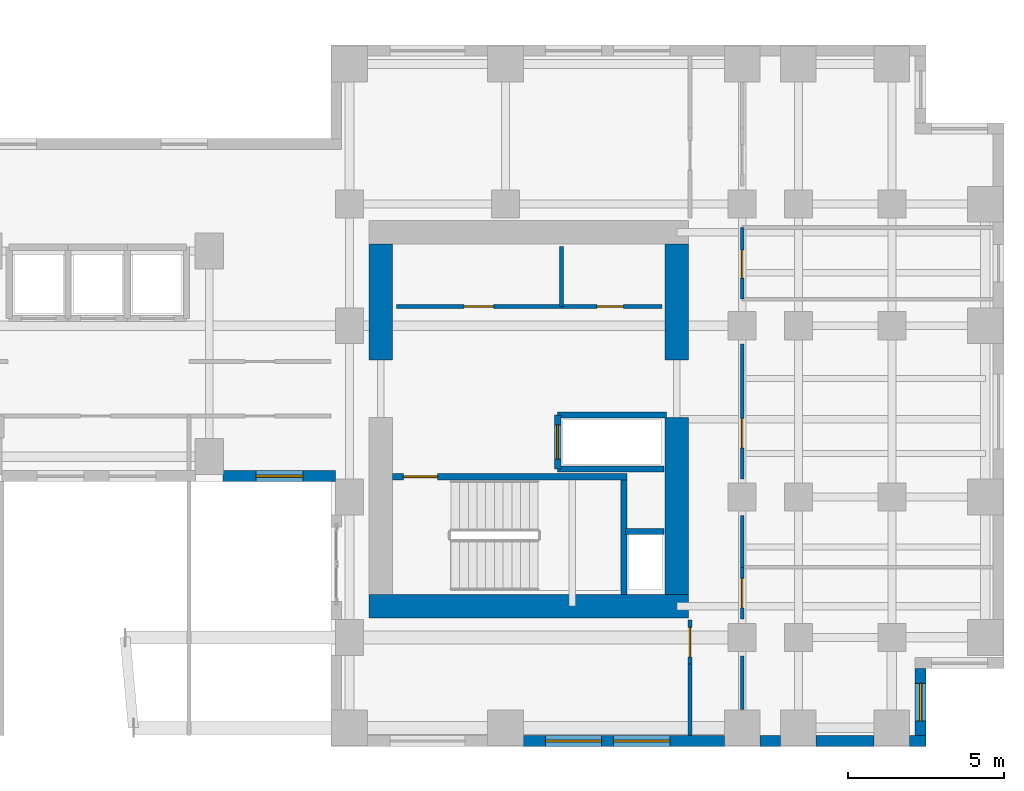
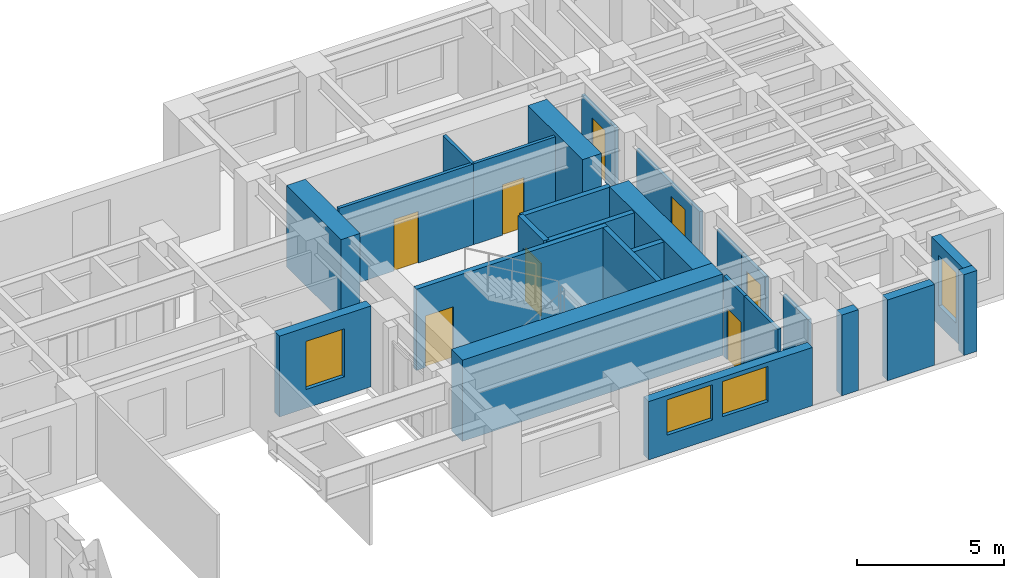
# One storey, part 10 of 14: 26 walls, 8 doors, 4 windows, 12 openings.
"""IFC4 building model written with IfcOpenShell, lengths in metres."""

import ifcopenshell
import ifcopenshell.guid

model = None  # the IFC model being written
_history = None  # IfcOwnerHistory: only IFC2X3 demands one
_inside = {}  # id of a spatial element -> (the spatial element, [elements in it])
_under = {}  # id of a project, library or spatial element -> (it, [spatial elements below it])
_declared = {}  # id of a project -> (the project, [libraries it declares])
_typed = {}  # id of a type object -> (the type object, [elements of that type])
_made_of = {}  # id of a material, layer set ... -> (it, [elements and type objects made of it])


def new_model(schema):
    """Start an empty IFC model of exactly this schema.

    Asked for "IFC4X3", IfcOpenShell would pick the latest addendum, in which some entities
    have other attributes; the version numbers below select the first issue.
    IFC2X3 requires an IfcOwnerHistory on every rooted entity: one is made here for all.
    """
    global model, _history
    if schema == "IFC4X3":
        model = ifcopenshell.file(schema_version=(4, 3, 0, 0))
    else:
        model = ifcopenshell.file(schema=schema)
    _inside.clear()
    _under.clear()
    _declared.clear()
    _typed.clear()
    _made_of.clear()
    _history = None
    if model.schema == "IFC2X3":
        org = make("IfcOrganization", Name="unknown")
        user = make(
            "IfcPersonAndOrganization",
            ThePerson=make("IfcPerson", FamilyName="unknown"),
            TheOrganization=org,
        )
        app = make(
            "IfcApplication",
            ApplicationDeveloper=org,
            Version="unknown",
            ApplicationFullName="unknown",
            ApplicationIdentifier="unknown",
        )
        _history = make(
            "IfcOwnerHistory",
            OwningUser=user,
            OwningApplication=app,
            ChangeAction="ADDED",
            CreationDate=0,
        )
    return model


def make(cls, **values):
    """One entity of the class cls with the attributes given. An attribute that is None is left unset."""
    return model.create_entity(
        cls, **{name: value for name, value in values.items() if value is not None}
    )


def rooted(cls, **values):
    """An entity with a GlobalId (a new one), such as an element, a storey or a relation."""
    return make(cls, GlobalId=ifcopenshell.guid.new(), OwnerHistory=_history, **values)


def si_unit(unit_type, name, prefix=None):
    """IfcSIUnit, for example si_unit("LENGTHUNIT", "METRE", prefix="MILLI")."""
    return make("IfcSIUnit", UnitType=unit_type, Prefix=prefix, Name=name)


def assignment(units):
    """IfcUnitAssignment: the units of a project."""
    return None if units is None else make("IfcUnitAssignment", Units=units)


def point(xyz):
    """IfcCartesianPoint."""
    return None if xyz is None else make("IfcCartesianPoint", Coordinates=xyz)


def direction(xyz):
    """IfcDirection."""
    return None if xyz is None else make("IfcDirection", DirectionRatios=xyz)


def frame(location, z_axis=None, x_axis=None):
    """IfcAxis2Placement3D, a coordinate frame: its origin and axes. An axis left out is left unset."""
    return make(
        "IfcAxis2Placement3D",
        Location=point(location),
        Axis=direction(z_axis),
        RefDirection=direction(x_axis),
    )


def frame_2d(location, x_axis=None):
    """IfcAxis2Placement2D, a coordinate frame in the plane: its origin and x axis."""
    return make(
        "IfcAxis2Placement2D", Location=point(location), RefDirection=direction(x_axis)
    )


def origin():
    """The frame at (0, 0, 0) with its axes left unset."""
    return frame((0.0, 0.0, 0.0))


def place(relative_to, where):
    """IfcLocalPlacement: puts the frame where relative to a parent placement (None: the world)."""
    return make(
        "IfcLocalPlacement", PlacementRelTo=relative_to, RelativePlacement=where
    )


def context(
    kind, dimensions, precision=None, world=None, true_north=None, identifier=None
):
    """IfcGeometricRepresentationContext, for example the 3D "Model" context."""
    return make(
        "IfcGeometricRepresentationContext",
        ContextIdentifier=identifier,
        ContextType=kind,
        CoordinateSpaceDimension=dimensions,
        Precision=precision,
        WorldCoordinateSystem=world,
        TrueNorth=true_north,
    )


def subcontext(parent, identifier, kind, view, scale=None):
    """IfcGeometricRepresentationSubContext, for example "Body" below "Model"."""
    return make(
        "IfcGeometricRepresentationSubContext",
        ContextIdentifier=identifier,
        ContextType=kind,
        ParentContext=parent,
        TargetScale=scale,
        TargetView=view,
    )


def project(units=None, contexts=None):
    """IfcProject with its units and contexts."""
    return rooted(
        "IfcProject",
        Name="project",
        RepresentationContexts=contexts,
        UnitsInContext=assignment(units),
    )


def spatial(cls, under=None, at=None, **own):
    """A site, building, storey or space (cls), placed at a placement, below another one or the project."""
    s = rooted(cls, ObjectPlacement=at, **own)
    if under is not None:
        _under.setdefault(under.id(), (under, []))[1].append(s)
    return s


def profile(cls, at=None, kind="AREA", **sizes):
    """A parametric profile (cls). Its sizes go by their IFC names, for example OverallWidth=200.0."""
    return make(cls, ProfileType=kind, Position=at, **sizes)


def rectangle(**sizes):
    """IfcRectangleProfileDef."""
    return profile("IfcRectangleProfileDef", **sizes)


def extrude(swept, where, along, depth):
    """IfcExtrudedAreaSolid: the profile swept, set in the frame where, extruded along a direction by depth."""
    return make(
        "IfcExtrudedAreaSolid",
        SweptArea=swept,
        Position=where,
        ExtrudedDirection=direction(along),
        Depth=depth,
    )


def shape(context_of_items, identifier, shape_type, items):
    """IfcShapeRepresentation: the items that make up one representation, for example the "Body"."""
    return make(
        "IfcShapeRepresentation",
        ContextOfItems=context_of_items,
        RepresentationIdentifier=identifier,
        RepresentationType=shape_type,
        Items=items,
    )


def source(mapping_origin, context_of_items, identifier, shape_type, items):
    """IfcRepresentationMap: a shape defined once, which mapped items show again and again."""
    return make(
        "IfcRepresentationMap",
        MappingOrigin=mapping_origin,
        MappedRepresentation=shape(context_of_items, identifier, shape_type, items),
    )


def transform(
    local_origin,
    x_axis=None,
    y_axis=None,
    z_axis=None,
    scale=None,
    scale2=None,
    scale3=None,
    uniform=True,
):
    """IfcCartesianTransformationOperator3D, or its non-uniform kind. x_axis, y_axis, z_axis: its Axis1, 2, 3."""
    if uniform:
        return make(
            "IfcCartesianTransformationOperator3D",
            Axis1=direction(x_axis),
            Axis2=direction(y_axis),
            LocalOrigin=point(local_origin),
            Scale=scale,
            Axis3=direction(z_axis),
        )
    return make(
        "IfcCartesianTransformationOperator3DnonUniform",
        Axis1=direction(x_axis),
        Axis2=direction(y_axis),
        LocalOrigin=point(local_origin),
        Scale=scale,
        Axis3=direction(z_axis),
        Scale2=scale2,
        Scale3=scale3,
    )


def mapped(mapping_source, mapping_target):
    """IfcMappedItem: shows the shape of a source again, moved by a transform."""
    return make(
        "IfcMappedItem", MappingSource=mapping_source, MappingTarget=mapping_target
    )


def material(Name=None, Category=None):
    """IfcMaterial."""
    return make("IfcMaterial", Name=Name, Category=Category)


def layer(
    of_material, thickness, ventilated=None, Name=None, Category=None, Priority=None
):
    """IfcMaterialLayer: one layer of a wall or slab, of a material (None: an air gap)."""
    return make(
        "IfcMaterialLayer",
        Material=of_material,
        LayerThickness=thickness,
        IsVentilated=ventilated,
        Name=Name,
        Category=Category,
        Priority=Priority,
    )


def layer_set(layers, Name=None):
    """IfcMaterialLayerSet."""
    return make("IfcMaterialLayerSet", MaterialLayers=layers, LayerSetName=Name)


def made_of(thing, what):
    """Note that an element or type object is made of a material, layer set ...; save() writes the relation."""
    if what is not None:
        _made_of.setdefault(what.id(), (what, []))[1].append(thing)
    return thing


def type_object(cls, material=None, **own):
    """A type object (cls), such as IfcWallType, which elements share."""
    return made_of(rooted(cls, **own), material)


def element(
    cls,
    number,
    at=None,
    inside=None,
    cuts=None,
    type_object=None,
    material=None,
    context=None,
    identifier="Body",
    shape_type=None,
    held_by="IfcProductDefinitionShape",
    body=None,
    shapes=None,
    **own,
):
    """One element of the class cls, such as IfcWall. Its Tag is "e" and its number.

    at: its placement. inside: the storey or other place that contains it. cuts: it is an
    opening in that element (IfcRelVoidsElement). A single representation is given by context,
    identifier, shape_type and body (its items); several are given by shapes. held_by: the class
    of the entity that holds the representations. save() writes the other relations.
    """
    e = rooted(cls, Tag="e%d" % number, ObjectPlacement=at, **own)
    if body is not None:
        shapes = [shape(context, identifier, shape_type, body)]
    if shapes is not None:
        e.Representation = make(held_by, Representations=shapes)
    if inside is not None:
        _inside.setdefault(inside.id(), (inside, []))[1].append(e)
    if cuts is not None:
        rooted(
            "IfcRelVoidsElement", RelatingBuildingElement=cuts, RelatedOpeningElement=e
        )
    if type_object is not None:
        _typed.setdefault(type_object.id(), (type_object, []))[1].append(e)
    return made_of(e, material)


def fill(opening, filler):
    """IfcRelFillsElement: the door or window that sits in an opening."""
    return rooted(
        "IfcRelFillsElement",
        RelatingOpeningElement=opening,
        RelatedBuildingElement=filler,
    )


def aggregate(whole, parts):
    """IfcRelAggregates: a whole, such as a stair, and the parts it consists of."""
    return rooted("IfcRelAggregates", RelatingObject=whole, RelatedObjects=parts)


def save(model, path):
    """Write the relations noted so far, then the file.

    IfcRelAggregates (storeys below a building ...), IfcRelContainedInSpatialStructure (elements
    in a storey), IfcRelDefinesByType, IfcRelAssociatesMaterial and IfcRelDeclares: one each for
    every whole, place, type object, material and project.
    """
    for whole, parts in _under.values():
        aggregate(whole, parts)
    for where, things in _inside.values():
        rooted(
            "IfcRelContainedInSpatialStructure",
            RelatedElements=things,
            RelatingStructure=where,
        )
    for kind, things in _typed.values():
        rooted("IfcRelDefinesByType", RelatedObjects=things, RelatingType=kind)
    for what, things in _made_of.values():
        rooted("IfcRelAssociatesMaterial", RelatedObjects=things, RelatingMaterial=what)
    for by, libraries in _declared.values():
        rooted("IfcRelDeclares", RelatingContext=by, RelatedDefinitions=libraries)
    model.write(path)


model = new_model("IFC4")

# Units and contexts
model_context = context("Model", 3, precision=1e-05, world=origin(), true_north=direction((0.0, 1.0)))
body_context = subcontext(model_context, "Body", "Model", "MODEL_VIEW")
ifc_project = project(units=[si_unit("LENGTHUNIT", "METRE"), si_unit("AREAUNIT", "SQUARE_METRE"), si_unit("VOLUMEUNIT", "CUBIC_METRE"), si_unit("PLANEANGLEUNIT", "RADIAN"), si_unit("MASSUNIT", "GRAM", prefix="KILO")], contexts=[model_context])

# Site, building, storey
site_placement = place(None, origin())
site = spatial("IfcSite", under=ifc_project, at=site_placement, CompositionType="ELEMENT")
building_placement = place(site_placement, origin())
building = spatial("IfcBuilding", under=site, at=building_placement, Name="Kharzan Plaza Tower", CompositionType="ELEMENT")
storey_placement = place(building_placement, frame((0.0, 0.0, 88.199951171875)))
storey = spatial("IfcBuildingStorey", under=building, at=storey_placement, Name="L23", CompositionType="ELEMENT", Elevation=88.199951171875)

# Wall, opening, window
ifc_material_1 = material(Name="Concrete C40/50", Category="concrete")
ifc_layer_1 = layer(ifc_material_1, 0.35009765625)
ifc_layer_set_1 = layer_set([ifc_layer_1], Name="Concrete C40/50")
wall_type_1 = type_object("IfcWallType", Name="WL-EXT-MAS-Z2", PredefinedType="SOLIDWALL", material=ifc_layer_set_1)
wall_1_placement = place(storey_placement, frame((30.947998046875, 8.675048828125, 0.0), z_axis=(0.0, 0.0, 1.0), x_axis=(1.0, 0.0, 0.0)))
wall_1 = element("IfcWall", 1, at=wall_1_placement, inside=storey, type_object=wall_type_1, Name="L23 Masonry-Frame Exterior Wall 36", PredefinedType="SOLIDWALL", context=body_context, shape_type="SweptSolid", body=[
    extrude(rectangle(XDim=3.60400390625, YDim=0.35009765625, at=frame_2d((1.802001953125, 0.0))), origin(), (0.0, 0.0, 1.0), 3.364990234375),
])
opening_1_placement = place(wall_1_placement, frame((1.052001953125, 0.0, 0.780029296875)))
opening_1 = element("IfcOpeningElement", 2, at=opening_1_placement, cuts=wall_1, Name="Opening W5", PredefinedType="OPENING", context=body_context, shape_type="SweptSolid", body=[
    extrude(rectangle(XDim=1.5, YDim=2.0, at=frame_2d((0.75, 1.0))), frame((0.0, 0.18505859375, 0.0), z_axis=(0.0, -1.0, 0.0), x_axis=(1.0, 0.0, 0.0)), (0.0, 0.0, 1.0), 0.3701171875),
])
ifc_material_2 = material(Name="Low-E Double Glazing", Category="glass")
window_type_1 = type_object("IfcWindowType", Name="WN-SLT-1500x2000", PartitioningType="SINGLE_PANEL", PredefinedType="WINDOW", material=ifc_material_2)
shared_shape_1 = source(origin(), body_context, "Body", "SweptSolid", [
    extrude(rectangle(XDim=1.5, YDim=2.0, at=frame_2d((0.75, 1.0))), frame((0.0, 0.030029296875, 0.0), z_axis=(0.0, -1.0, 0.0), x_axis=(1.0, 0.0, 0.0)), (0.0, 0.0, 1.0), 0.06005859375),
])
window_1_placement = place(opening_1_placement, origin())
window_1 = element("IfcWindow", 3, at=window_1_placement, inside=storey, type_object=window_type_1, Name="L23 Recessed Solar-Control Window 36-1", OverallHeight=2.0, OverallWidth=1.5, PartitioningType="SINGLE_PANEL", PredefinedType="WINDOW", context=body_context, shape_type="MappedRepresentation", body=[
    mapped(shared_shape_1, transform((0.0, 0.0, 0.0), x_axis=(1.0, 0.0, 0.0), y_axis=(0.0, 1.0, 0.0), z_axis=(0.0, 0.0, 1.0))),
])
fill(opening_1, window_1)

# Wall, openings, windows
wall_2_placement = place(storey_placement, frame((40.572998046875, 0.175048828125, 0.0), z_axis=(0.0, 0.0, 1.0), x_axis=(1.0, 0.0, 0.0)))
wall_2 = element("IfcWall", 4, at=wall_2_placement, inside=storey, type_object=wall_type_1, Name="L23 Masonry-Frame Exterior Wall 41", PredefinedType="SOLIDWALL", context=body_context, shape_type="SweptSolid", body=[
    extrude(rectangle(XDim=6.4541015625, YDim=0.35009765625, at=frame_2d((3.22705078125, 0.0))), origin(), (0.0, 0.0, 1.0), 2.427978515625),
])
opening_2_placement = place(wall_2_placement, frame((0.71240234375, 0.0, 0.780029296875)))
opening_2 = element("IfcOpeningElement", 5, at=opening_2_placement, cuts=wall_2, Name="Opening W1", PredefinedType="OPENING", context=body_context, shape_type="SweptSolid", body=[
    extrude(rectangle(XDim=1.800048828125, YDim=1.468017578125, at=frame_2d((0.89990234375, 0.73388671875))), frame((0.0, 0.18505859375, 0.0), z_axis=(0.0, -1.0, 0.0), x_axis=(1.0, 0.0, 0.0)), (0.0, 0.0, 1.0), 0.3701171875),
])
opening_3_placement = place(wall_2_placement, frame((2.90478515625, 0.0, 0.780029296875)))
opening_3 = element("IfcOpeningElement", 6, at=opening_3_placement, cuts=wall_2, Name="Opening W1", PredefinedType="OPENING", context=body_context, shape_type="SweptSolid", body=[
    extrude(rectangle(XDim=1.800048828125, YDim=1.468017578125, at=frame_2d((0.89990234375, 0.73388671875))), frame((0.0, 0.18505859375, 0.0), z_axis=(0.0, -1.0, 0.0), x_axis=(1.0, 0.0, 0.0)), (0.0, 0.0, 1.0), 0.3701171875),
])
window_type_2 = type_object("IfcWindowType", Name="WN-REC-1800x2100", PartitioningType="SINGLE_PANEL", PredefinedType="WINDOW", material=ifc_material_2)
shared_shape_2 = source(origin(), body_context, "Body", "SweptSolid", [
    extrude(rectangle(XDim=1.800048828125, YDim=1.468017578125, at=frame_2d((0.89990234375, 0.73388671875))), frame((0.0, 0.030029296875, 0.0), z_axis=(0.0, -1.0, 0.0), x_axis=(1.0, 0.0, 0.0)), (0.0, 0.0, 1.0), 0.06005859375),
])
window_2_placement = place(opening_2_placement, origin())
window_2 = element("IfcWindow", 7, at=window_2_placement, inside=storey, type_object=window_type_2, Name="L23 Recessed Solar-Control Window 41-1", OverallHeight=1.468017578125, OverallWidth=1.800048828125, PartitioningType="SINGLE_PANEL", PredefinedType="WINDOW", context=body_context, shape_type="MappedRepresentation", body=[
    mapped(shared_shape_2, transform((0.0, 0.0, 0.0), x_axis=(1.0, 0.0, 0.0), y_axis=(0.0, 1.0, 0.0), z_axis=(0.0, 0.0, 1.0))),
])
fill(opening_2, window_2)
window_3_placement = place(opening_3_placement, origin())
window_3 = element("IfcWindow", 8, at=window_3_placement, inside=storey, type_object=window_type_2, Name="L23 Recessed Solar-Control Window 41-2", OverallHeight=1.468017578125, OverallWidth=1.800048828125, PartitioningType="SINGLE_PANEL", PredefinedType="WINDOW", context=body_context, shape_type="MappedRepresentation", body=[
    mapped(shared_shape_2, transform((0.0, 0.0, 0.0), x_axis=(1.0, 0.0, 0.0), y_axis=(0.0, 1.0, 0.0), z_axis=(0.0, 0.0, 1.0))),
])
fill(opening_3, window_3)

# Wall, opening, window
wall_3_placement = place(storey_placement, frame((53.324951171875, 0.347900390625, 0.0), z_axis=(0.0, 0.0, 1.0), x_axis=(0.0, 1.0, 0.0)))
wall_3 = element("IfcWall", 9, at=wall_3_placement, inside=storey, type_object=wall_type_1, Name="L23 Masonry-Frame Exterior Wall 45", PredefinedType="SOLIDWALL", context=body_context, shape_type="SweptSolid", body=[
    extrude(rectangle(XDim=2.154052734375, YDim=0.35009765625, at=frame_2d((1.0771484375, 0.0))), origin(), (0.0, 0.0, 1.0), 3.364990234375),
])
opening_4_placement = place(wall_3_placement, frame((0.47705078125, 0.0, 0.780029296875)))
opening_4 = element("IfcOpeningElement", 10, at=opening_4_placement, cuts=wall_3, Name="Opening W3", PredefinedType="OPENING", context=body_context, shape_type="SweptSolid", body=[
    extrude(rectangle(XDim=1.199951171875, YDim=2.10009765625, at=frame_2d((0.60009765625, 1.050048828125))), frame((0.0, 0.18505859375, 0.0), z_axis=(0.0, -1.0, 0.0), x_axis=(1.0, 0.0, 0.0)), (0.0, 0.0, 1.0), 0.3701171875),
])
window_type_3 = type_object("IfcWindowType", Name="WN-REC-1200x2100", PartitioningType="SINGLE_PANEL", PredefinedType="WINDOW", material=ifc_material_2)
shared_shape_3 = source(origin(), body_context, "Body", "SweptSolid", [
    extrude(rectangle(XDim=1.199951171875, YDim=2.10009765625, at=frame_2d((0.60009765625, 1.050048828125))), frame((0.0, 0.030029296875, 0.0), z_axis=(0.0, -1.0, 0.0), x_axis=(1.0, 0.0, 0.0)), (0.0, 0.0, 1.0), 0.06005859375),
])
window_4_placement = place(opening_4_placement, origin())
window_4 = element("IfcWindow", 11, at=window_4_placement, inside=storey, type_object=window_type_3, Name="L23 Recessed Solar-Control Window 45-1", OverallHeight=2.10009765625, OverallWidth=1.199951171875, PartitioningType="SINGLE_PANEL", PredefinedType="WINDOW", context=body_context, shape_type="MappedRepresentation", body=[
    mapped(shared_shape_3, transform((0.0, 0.0, 0.0), x_axis=(1.0, 0.0, 0.0), y_axis=(0.0, 1.0, 0.0), z_axis=(0.0, 0.0, 1.0))),
])
fill(opening_4, window_4)

# Wall, opening, door
ifc_material_3 = material(Name="Fire-Rated Gypsum Board Partition", Category="gypsum")
ifc_layer_2 = layer(ifc_material_3, 0.125)
ifc_layer_set_2 = layer_set([ifc_layer_2], Name="Fire-Rated Gypsum Board Partition")
wall_type_2 = type_object("IfcWallType", Name="WL-INT-PART-125", PredefinedType="PARTITIONING", material=ifc_layer_set_2)
wall_4_placement = place(storey_placement, frame((36.5, 14.1201171875, 0.0), z_axis=(0.0, 0.0, 1.0), x_axis=(1.0, 0.0, 0.0)))
wall_4 = element("IfcWall", 12, at=wall_4_placement, inside=storey, type_object=wall_type_2, Name="L23 Interior Partition CB-RBLSA", PredefinedType="PARTITIONING", context=body_context, shape_type="SweptSolid", body=[
    extrude(rectangle(XDim=5.300048828125, YDim=0.125, at=frame_2d((2.64990234375, 0.0))), origin(), (0.0, 0.0, 1.0), 3.364990234375),
])
opening_5_placement = place(wall_4_placement, frame((2.175048828125, 0.0, 0.0)))
opening_5 = element("IfcOpeningElement", 13, at=opening_5_placement, cuts=wall_4, Name="Opening OD1", PredefinedType="OPENING", context=body_context, shape_type="SweptSolid", body=[
    extrude(rectangle(XDim=0.949951171875, YDim=2.14990234375, at=frame_2d((0.47509765625, 1.074951171875))), frame((0.0, 0.072509765625, 0.0), z_axis=(0.0, -1.0, 0.0), x_axis=(1.0, 0.0, 0.0)), (0.0, 0.0, 1.0), 0.14501953125),
])
ifc_material_4 = material(Name="Acoustic Solid-Core Stained Oak", Category="timber")
door_type_1 = type_object("IfcDoorType", Name="DR-OFF-SINGLE", OperationType="NOTDEFINED", PredefinedType="DOOR", material=ifc_material_4)
shared_shape_4 = source(origin(), body_context, "Body", "SweptSolid", [
    extrude(rectangle(XDim=0.949951171875, YDim=2.14990234375, at=frame_2d((0.47509765625, 1.074951171875))), frame((0.0, 0.02490234375, 0.0), z_axis=(0.0, -1.0, 0.0), x_axis=(1.0, 0.0, 0.0)), (0.0, 0.0, 1.0), 0.050048828125),
])
door_1_placement = place(opening_5_placement, origin())
door_1 = element("IfcDoor", 14, at=door_1_placement, inside=storey, type_object=door_type_1, Name="L23 Records Room Door", OperationType="SINGLE_SWING_LEFT", OverallHeight=2.14990234375, OverallWidth=0.949951171875, PredefinedType="DOOR", context=body_context, shape_type="MappedRepresentation", body=[
    mapped(shared_shape_4, transform((0.0, 0.0, 0.0), x_axis=(1.0, 0.0, 0.0), y_axis=(0.0, 1.0, 0.0), z_axis=(0.0, 0.0, 1.0))),
])
fill(opening_5, door_1)

wall_5_placement = place(storey_placement, frame((41.800048828125, 14.1201171875, 0.0), z_axis=(0.0, 0.0, 1.0), x_axis=(1.0, 0.0, 0.0)))
wall_5 = element("IfcWall", 15, at=wall_5_placement, inside=storey, type_object=wall_type_2, Name="L23 Interior Partition CB-RBLSB", PredefinedType="PARTITIONING", context=body_context, shape_type="SweptSolid", body=[
    extrude(rectangle(XDim=3.219970703125, YDim=0.125, at=frame_2d((1.60986328125, 0.0))), origin(), (0.0, 0.0, 1.0), 3.364990234375),
])
opening_6_placement = place(wall_5_placement, frame((1.135009765625, 0.0, 0.0)))
opening_6 = element("IfcOpeningElement", 16, at=opening_6_placement, cuts=wall_5, Name="Opening RD1", PredefinedType="OPENING", context=body_context, shape_type="SweptSolid", body=[
    extrude(rectangle(XDim=0.85009765625, YDim=2.10009765625, at=frame_2d((0.425048828125, 1.050048828125))), frame((0.0, 0.072509765625, 0.0), z_axis=(0.0, -1.0, 0.0), x_axis=(1.0, 0.0, 0.0)), (0.0, 0.0, 1.0), 0.14501953125),
])
ifc_material_5 = material(Name="Powder-Coated Fire-Rated Steel", Category="steel")
door_type_2 = type_object("IfcDoorType", Name="DR-RISER-900", OperationType="NOTDEFINED", PredefinedType="DOOR", material=ifc_material_5)
shared_shape_5 = source(origin(), body_context, "Body", "SweptSolid", [
    extrude(rectangle(XDim=0.85009765625, YDim=2.10009765625, at=frame_2d((0.425048828125, 1.050048828125))), frame((0.0, 0.02490234375, 0.0), z_axis=(0.0, -1.0, 0.0), x_axis=(1.0, 0.0, 0.0)), (0.0, 0.0, 1.0), 0.050048828125),
])
door_2_placement = place(opening_6_placement, origin())
door_2 = element("IfcDoor", 17, at=door_2_placement, inside=storey, type_object=door_type_2, Name="L23 Housekeeping Store Door", OperationType="SINGLE_SWING_RIGHT", OverallHeight=2.10009765625, OverallWidth=0.85009765625, PredefinedType="DOOR", context=body_context, shape_type="MappedRepresentation", body=[
    mapped(shared_shape_5, transform((0.0, 0.0, 0.0), x_axis=(1.0, 0.0, 0.0), y_axis=(0.0, 1.0, 0.0), z_axis=(0.0, 0.0, 1.0))),
])
fill(opening_6, door_2)

wall_6_placement = place(storey_placement, frame((47.60009765625, 4.090087890625, 0.0), z_axis=(0.0, 0.0, 1.0), x_axis=(0.0, 1.0, 0.0)))
wall_6 = element("IfcWall", 18, at=wall_6_placement, inside=storey, type_object=wall_type_2, Name="L23 Interior Partition SH-B3W0", PredefinedType="PARTITIONING", context=body_context, shape_type="SweptSolid", body=[
    extrude(rectangle(XDim=1.659912109375, YDim=0.125, at=frame_2d((0.830078125, 0.0))), origin(), (0.0, 0.0, 1.0), 2.677001953125),
])
opening_7_placement = place(wall_6_placement, frame((0.35498046875, 0.0, 0.0)))
opening_7 = element("IfcOpeningElement", 19, at=opening_7_placement, cuts=wall_6, Name="Opening OD1", PredefinedType="OPENING", context=body_context, shape_type="SweptSolid", body=[
    extrude(rectangle(XDim=0.949951171875, YDim=2.14990234375, at=frame_2d((0.47509765625, 1.074951171875))), frame((0.0, 0.072509765625, 0.0), z_axis=(0.0, -1.0, 0.0), x_axis=(1.0, 0.0, 0.0)), (0.0, 0.0, 1.0), 0.14501953125),
])
door_3_placement = place(opening_7_placement, origin())
door_3 = element("IfcDoor", 20, at=door_3_placement, inside=storey, type_object=door_type_1, Name="L23 Wing B Office 1 Door", OperationType="SINGLE_SWING_RIGHT", OverallHeight=2.14990234375, OverallWidth=0.949951171875, PredefinedType="DOOR", context=body_context, shape_type="MappedRepresentation", body=[
    mapped(shared_shape_4, transform((0.0, 0.0, 0.0), x_axis=(1.0, 0.0, 0.0), y_axis=(0.0, 1.0, 0.0), z_axis=(0.0, 0.0, 1.0))),
])
fill(opening_7, door_3)

wall_7_placement = place(storey_placement, frame((47.60009765625, 8.590087890625, 0.0), z_axis=(0.0, 0.0, 1.0), x_axis=(0.0, 1.0, 0.0)))
wall_7 = element("IfcWall", 21, at=wall_7_placement, inside=storey, type_object=wall_type_2, Name="L23 Interior Partition SH-B3W1-S2", PredefinedType="PARTITIONING", context=body_context, shape_type="SweptSolid", body=[
    extrude(rectangle(XDim=4.31982421875, YDim=0.125, at=frame_2d((2.159912109375, 0.0))), origin(), (0.0, 0.0, 1.0), 2.677001953125),
])
opening_8_placement = place(wall_7_placement, frame((0.985107421875, 0.0, 0.0)))
opening_8 = element("IfcOpeningElement", 22, at=opening_8_placement, cuts=wall_7, Name="Opening OD1", PredefinedType="OPENING", context=body_context, shape_type="SweptSolid", body=[
    extrude(rectangle(XDim=0.949951171875, YDim=2.14990234375, at=frame_2d((0.47509765625, 1.074951171875))), frame((0.0, 0.072509765625, 0.0), z_axis=(0.0, -1.0, 0.0), x_axis=(1.0, 0.0, 0.0)), (0.0, 0.0, 1.0), 0.14501953125),
])
door_4_placement = place(opening_8_placement, origin())
door_4 = element("IfcDoor", 23, at=door_4_placement, inside=storey, type_object=door_type_1, Name="L23 Wing B Office 2 Door", OperationType="SINGLE_SWING_RIGHT", OverallHeight=2.14990234375, OverallWidth=0.949951171875, PredefinedType="DOOR", context=body_context, shape_type="MappedRepresentation", body=[
    mapped(shared_shape_4, transform((0.0, 0.0, 0.0), x_axis=(1.0, 0.0, 0.0), y_axis=(0.0, 1.0, 0.0), z_axis=(0.0, 0.0, 1.0))),
])
fill(opening_8, door_4)

wall_8_placement = place(storey_placement, frame((47.60009765625, 14.35009765625, 0.0), z_axis=(0.0, 0.0, 1.0), x_axis=(0.0, 1.0, 0.0)))
wall_8 = element("IfcWall", 24, at=wall_8_placement, inside=storey, type_object=wall_type_2, Name="L23 Interior Partition SH-B3WC", PredefinedType="PARTITIONING", context=body_context, shape_type="SweptSolid", body=[
    extrude(rectangle(XDim=2.2998046875, YDim=0.125, at=frame_2d((1.14990234375, 0.0))), origin(), (0.0, 0.0, 1.0), 2.677001953125),
])
opening_9_placement = place(wall_8_placement, frame((0.675048828125, 0.0, 0.0)))
opening_9 = element("IfcOpeningElement", 25, at=opening_9_placement, cuts=wall_8, Name="Opening WD1", PredefinedType="OPENING", context=body_context, shape_type="SweptSolid", body=[
    extrude(rectangle(XDim=0.89990234375, YDim=2.14990234375, at=frame_2d((0.449951171875, 1.074951171875))), frame((0.0, 0.072509765625, 0.0), z_axis=(0.0, -1.0, 0.0), x_axis=(1.0, 0.0, 0.0)), (0.0, 0.0, 1.0), 0.14501953125),
])
ifc_material_6 = material(Name="Moisture-Resistant Fire-Rated Laminate", Category="timber")
door_type_3 = type_object("IfcDoorType", Name="DR-WC-900", OperationType="NOTDEFINED", PredefinedType="DOOR", material=ifc_material_6)
shared_shape_6 = source(origin(), body_context, "Body", "SweptSolid", [
    extrude(rectangle(XDim=0.89990234375, YDim=2.14990234375, at=frame_2d((0.449951171875, 1.074951171875))), frame((0.0, 0.02490234375, 0.0), z_axis=(0.0, -1.0, 0.0), x_axis=(1.0, 0.0, 0.0)), (0.0, 0.0, 1.0), 0.050048828125),
])
door_5_placement = place(opening_9_placement, origin())
door_5 = element("IfcDoor", 26, at=door_5_placement, inside=storey, type_object=door_type_3, Name="L23 Wing B Washroom Door", OperationType="SINGLE_SWING_LEFT", OverallHeight=2.14990234375, OverallWidth=0.89990234375, PredefinedType="DOOR", context=body_context, shape_type="MappedRepresentation", body=[
    mapped(shared_shape_6, transform((0.0, 0.0, 0.0), x_axis=(1.0, 0.0, 0.0), y_axis=(0.0, 1.0, 0.0), z_axis=(0.0, 0.0, 1.0))),
])
fill(opening_9, door_5)

wall_9_placement = place(storey_placement, frame((45.919921875, 2.64990234375, 0.0), z_axis=(0.0, 0.0, 1.0), x_axis=(0.0, 1.0, 0.0)))
wall_9 = element("IfcWall", 27, at=wall_9_placement, inside=storey, type_object=wall_type_2, Name="L23 Interior Partition SH-RBSE", PredefinedType="PARTITIONING", context=body_context, shape_type="SweptSolid", body=[
    extrude(rectangle(XDim=1.400146484375, YDim=0.125, at=frame_2d((0.7001953125, 0.0))), origin(), (0.0, 0.0, 1.0), 3.364990234375),
])
opening_10_placement = place(wall_9_placement, frame((0.22509765625, 0.0, 0.0)))
opening_10 = element("IfcOpeningElement", 28, at=opening_10_placement, cuts=wall_9, Name="Opening OD1", PredefinedType="OPENING", context=body_context, shape_type="SweptSolid", body=[
    extrude(rectangle(XDim=0.949951171875, YDim=2.14990234375, at=frame_2d((0.47509765625, 1.074951171875))), frame((0.0, 0.072509765625, 0.0), z_axis=(0.0, -1.0, 0.0), x_axis=(1.0, 0.0, 0.0)), (0.0, 0.0, 1.0), 0.14501953125),
])
door_6_placement = place(opening_10_placement, origin())
door_6 = element("IfcDoor", 29, at=door_6_placement, inside=storey, type_object=door_type_1, Name="L23 South-East Corner Office Door", OperationType="SINGLE_SWING_LEFT", OverallHeight=2.14990234375, OverallWidth=0.949951171875, PredefinedType="DOOR", context=body_context, shape_type="MappedRepresentation", body=[
    mapped(shared_shape_4, transform((0.0, 0.0, 0.0), x_axis=(1.0, 0.0, 0.0), y_axis=(0.0, 1.0, 0.0), z_axis=(0.0, 0.0, 1.0))),
])
fill(opening_10, door_6)

ifc_layer_3 = layer(ifc_material_1, 0.199951171875)
ifc_layer_set_3 = layer_set([ifc_layer_3], Name="Concrete C40/50")
wall_type_3 = type_object("IfcWallType", Name="WL-INT-SHAFT-200", PredefinedType="PARTITIONING", material=ifc_layer_set_3)
wall_10_placement = place(storey_placement, frame((41.679931640625, 8.89990234375, 0.0), z_axis=(0.0, 0.0, 1.0), x_axis=(0.0, 1.0, 0.0)))
wall_10 = element("IfcWall", 30, at=wall_10_placement, inside=storey, type_object=wall_type_3, Name="L23 Interior Partition SHF-SVL-2-W", PredefinedType="PARTITIONING", context=body_context, shape_type="SweptSolid", body=[
    extrude(rectangle(XDim=1.739990234375, YDim=0.199951171875, at=frame_2d((0.8701171875, 0.0))), origin(), (0.0, 0.0, 1.0), 3.364990234375),
])
opening_11_placement = place(wall_10_placement, frame((0.320068359375, 0.0, 0.0)))
opening_11 = element("IfcOpeningElement", 31, at=opening_11_placement, cuts=wall_10, Name="Opening LD", PredefinedType="OPENING", context=body_context, shape_type="SweptSolid", body=[
    extrude(rectangle(XDim=1.10009765625, YDim=2.199951171875, at=frame_2d((0.550048828125, 1.10009765625))), frame((0.0, 0.10986328125, 0.0), z_axis=(0.0, -1.0, 0.0), x_axis=(1.0, 0.0, 0.0)), (0.0, 0.0, 1.0), 0.219970703125),
])
ifc_material_7 = material(Name="Brushed Stainless Steel", Category="steel")
door_type_4 = type_object("IfcDoorType", Name="DR-LIFT-SLIDE", OperationType="SLIDING_TO_LEFT", PredefinedType="DOOR", material=ifc_material_7)
shared_shape_7 = source(origin(), body_context, "Body", "SweptSolid", [
    extrude(rectangle(XDim=1.10009765625, YDim=2.199951171875, at=frame_2d((0.550048828125, 1.10009765625))), frame((0.0, 0.02490234375, 0.0), z_axis=(0.0, -1.0, 0.0), x_axis=(1.0, 0.0, 0.0)), (0.0, 0.0, 1.0), 0.050048828125),
])
door_7_placement = place(opening_11_placement, origin())
door_7 = element("IfcDoor", 32, at=door_7_placement, inside=storey, type_object=door_type_4, Name="L23 Service Lift SVL-2 Sliding Landing Door", OperationType="SLIDING_TO_LEFT", OverallHeight=2.199951171875, OverallWidth=1.10009765625, PredefinedType="DOOR", context=body_context, shape_type="MappedRepresentation", body=[
    mapped(shared_shape_7, transform((0.0, 0.0, 0.0), x_axis=(1.0, 0.0, 0.0), y_axis=(0.0, 1.0, 0.0), z_axis=(0.0, 0.0, 1.0))),
])
fill(opening_11, door_7)

ifc_material_8 = material(Name="Concrete C50/60", Category="concrete")
ifc_layer_4 = layer(ifc_material_8, 0.199951171875)
ifc_layer_set_4 = layer_set([ifc_layer_4], Name="Concrete C50/60")
wall_type_4 = type_object("IfcWallType", Name="WL-SHAFT-RC200", PredefinedType="SHEAR", material=ifc_layer_set_4)
wall_11_placement = place(storey_placement, frame((36.376953125, 8.655029296875, 0.0), z_axis=(0.0, 0.0, 1.0), x_axis=(1.0, 0.0, 0.0)))
wall_11 = element("IfcWall", 33, at=wall_11_placement, inside=storey, type_object=wall_type_4, Name="L23 Stair ST-3 North RC Shaft Wall", PredefinedType="SHEAR", context=body_context, shape_type="SweptSolid", body=[
    extrude(rectangle(XDim=7.528076171875, YDim=0.199951171875, at=frame_2d((3.76416015625, 0.0))), origin(), (0.0, 0.0, 1.0), 3.380126953125),
])
opening_12_placement = place(wall_11_placement, frame((0.35009765625, 0.0, 0.0)))
opening_12 = element("IfcOpeningElement", 34, at=opening_12_placement, cuts=wall_11, Name="Opening SD1", PredefinedType="OPENING", context=body_context, shape_type="SweptSolid", body=[
    extrude(rectangle(XDim=1.10009765625, YDim=2.14990234375, at=frame_2d((0.550048828125, 1.074951171875))), frame((0.0, 0.10986328125, 0.0), z_axis=(0.0, -1.0, 0.0), x_axis=(1.0, 0.0, 0.0)), (0.0, 0.0, 1.0), 0.219970703125),
])
ifc_material_9 = material(Name="Fire-Rated Hollow Galvanized Steel", Category="steel")
door_type_5 = type_object("IfcDoorType", Name="DR-STAIR-FD120", OperationType="NOTDEFINED", PredefinedType="DOOR", material=ifc_material_9)
shared_shape_8 = source(origin(), body_context, "Body", "SweptSolid", [
    extrude(rectangle(XDim=1.10009765625, YDim=2.14990234375, at=frame_2d((0.550048828125, 1.074951171875))), frame((0.0, 0.02490234375, 0.0), z_axis=(0.0, -1.0, 0.0), x_axis=(1.0, 0.0, 0.0)), (0.0, 0.0, 1.0), 0.050048828125),
])
door_8_placement = place(opening_12_placement, origin())
door_8 = element("IfcDoor", 35, at=door_8_placement, inside=storey, type_object=door_type_5, Name="L23 Stair ST-3 Fire Exit Door", OperationType="SINGLE_SWING_RIGHT", OverallHeight=2.14990234375, OverallWidth=1.10009765625, PredefinedType="DOOR", context=body_context, shape_type="MappedRepresentation", body=[
    mapped(shared_shape_8, transform((0.0, 0.0, 0.0), x_axis=(1.0, 0.0, 0.0), y_axis=(0.0, 1.0, 0.0), z_axis=(0.0, 0.0, 1.0))),
])
fill(opening_12, door_8)

# Walls
shared_shape_9 = source(origin(), body_context, "Body", "SweptSolid", [
    extrude(rectangle(XDim=2.2978515625, YDim=0.125, at=frame_2d((1.14892578125, 0.0))), origin(), (0.0, 0.0, 1.0), 3.364990234375),
])
wall_12_placement = place(storey_placement, frame((45.919921875, 0.35205078125, 0.0), z_axis=(0.0, 0.0, 1.0), x_axis=(0.0, 1.0, 0.0)))
element("IfcWall", 36, at=wall_12_placement, inside=storey, type_object=wall_type_2, Name="L23 Interior Partition SH-RBSE0", PredefinedType="PARTITIONING", context=body_context, shape_type="MappedRepresentation", body=[
    mapped(shared_shape_9, transform((0.0, 0.0, 0.0), x_axis=(1.0, 0.0, 0.0), y_axis=(0.0, 1.0, 0.0), z_axis=(0.0, 0.0, 1.0))),
])
shared_shape_10 = source(origin(), body_context, "Body", "SweptSolid", [
    extrude(rectangle(XDim=3.489990234375, YDim=0.199951171875, at=frame_2d((1.7451171875, 0.0))), origin(), (0.0, 0.0, 1.0), 3.364990234375),
])
wall_13_placement = place(storey_placement, frame((41.679931640625, 10.639892578125, 0.0), z_axis=(0.0, 0.0, 1.0), x_axis=(1.0, 0.0, 0.0)))
element("IfcWall", 37, at=wall_13_placement, inside=storey, type_object=wall_type_3, Name="L23 Interior Partition SHF-SVL-2-N", PredefinedType="PARTITIONING", context=body_context, shape_type="MappedRepresentation", body=[
    mapped(shared_shape_10, transform((0.0, 0.0, 0.0), x_axis=(1.0, 0.0, 0.0), y_axis=(0.0, 1.0, 0.0), z_axis=(0.0, 0.0, 1.0))),
])
ifc_material_10 = material(Name="Concrete C60/75", Category="concrete")
ifc_layer_5 = layer(ifc_material_10, 0.75)
ifc_layer_set_5 = layer_set([ifc_layer_5], Name="Concrete C60/75")
wall_type_5 = type_object("IfcWallType", Name="WL-CORE-750", PredefinedType="SHEAR", material=ifc_layer_set_5)
shared_shape_11 = source(origin(), body_context, "Body", "SweptSolid", [
    extrude(rectangle(XDim=5.675048828125, YDim=0.75, at=frame_2d((2.83740234375, 0.0))), origin(), (0.0, 0.0, 1.0), 3.380126953125),
])
wall_14_placement = place(storey_placement, frame((45.5, 4.875, 0.0), z_axis=(0.0, 0.0, 1.0), x_axis=(0.0, 1.0, 0.0)))
element("IfcWall", 38, at=wall_14_placement, inside=storey, type_object=wall_type_5, Name="L23 CORE-B east shear pier 1", PredefinedType="SHEAR", context=body_context, shape_type="MappedRepresentation", body=[
    mapped(shared_shape_11, transform((0.0, 0.0, 0.0), x_axis=(1.0, 0.0, 0.0), y_axis=(0.0, 1.0, 0.0), z_axis=(0.0, 0.0, 1.0))),
])
shared_shape_12 = source(origin(), body_context, "Body", "SweptSolid", [
    extrude(rectangle(XDim=3.72509765625, YDim=0.75, at=frame_2d((1.862548828125, 0.0))), origin(), (0.0, 0.0, 1.0), 3.380126953125),
])
for number, where, z_axis, x_axis, name in (
    (39, (45.5, 12.39990234375, 0.0), (0.0, 0.0, 1.0), (0.0, 1.0, 0.0), "L23 CORE-B east shear pier 2"),
    (40, (36.0, 12.39990234375, 0.0), (0.0, 0.0, 1.0), (0.0, 1.0, 0.0), "L23 CORE-B west shear pier 2"),
):
    element("IfcWall", number, at=place(storey_placement, frame(where, z_axis=z_axis, x_axis=x_axis)), inside=storey, type_object=wall_type_5, Name=name, PredefinedType="SHEAR", context=body_context, shape_type="MappedRepresentation", body=[
        mapped(shared_shape_12, transform((0.0, 0.0, 0.0), x_axis=(1.0, 0.0, 0.0), y_axis=(0.0, 1.0, 0.0), z_axis=(0.0, 0.0, 1.0))),
    ])
shared_shape_13 = source(origin(), body_context, "Body", "SweptSolid", [
    extrude(rectangle(XDim=10.25, YDim=0.75, at=frame_2d((5.125, 0.0))), origin(), (0.0, 0.0, 1.0), 3.380126953125),
])
wall_15_placement = place(storey_placement, frame((35.625, 4.5, 0.0), z_axis=(0.0, 0.0, 1.0), x_axis=(1.0, 0.0, 0.0)))
element("IfcWall", 41, at=wall_15_placement, inside=storey, type_object=wall_type_5, Name="L23 CORE-B south RC shear wall", PredefinedType="SHEAR", context=body_context, shape_type="MappedRepresentation", body=[
    mapped(shared_shape_13, transform((0.0, 0.0, 0.0), x_axis=(1.0, 0.0, 0.0), y_axis=(0.0, 1.0, 0.0), z_axis=(0.0, 0.0, 1.0))),
])
shared_shape_14 = source(origin(), body_context, "Body", "SweptSolid", [
    extrude(rectangle(XDim=0.65380859375, YDim=0.35009765625, at=frame_2d((0.326904296875, 0.0))), origin(), (0.0, 0.0, 1.0), 3.364990234375),
])
wall_16_placement = place(storey_placement, frame((48.173095703125, 0.175048828125, 0.0), z_axis=(0.0, 0.0, 1.0), x_axis=(1.0, 0.0, 0.0)))
element("IfcWall", 42, at=wall_16_placement, inside=storey, type_object=wall_type_1, Name="L23 Masonry-Frame Exterior Wall 42", PredefinedType="SOLIDWALL", context=body_context, shape_type="MappedRepresentation", body=[
    mapped(shared_shape_14, transform((0.0, 0.0, 0.0), x_axis=(1.0, 0.0, 0.0), y_axis=(0.0, 1.0, 0.0), z_axis=(0.0, 0.0, 1.0))),
])
shared_shape_15 = source(origin(), body_context, "Body", "SweptSolid", [
    extrude(rectangle(XDim=1.85400390625, YDim=0.35009765625, at=frame_2d((0.927001953125, 0.0))), origin(), (0.0, 0.0, 1.0), 3.364990234375),
])
wall_17_placement = place(storey_placement, frame((49.972900390625, 0.175048828125, 0.0), z_axis=(0.0, 0.0, 1.0), x_axis=(1.0, 0.0, 0.0)))
element("IfcWall", 43, at=wall_17_placement, inside=storey, type_object=wall_type_1, Name="L23 Masonry-Frame Exterior Wall 43", PredefinedType="SOLIDWALL", context=body_context, shape_type="MappedRepresentation", body=[
    mapped(shared_shape_15, transform((0.0, 0.0, 0.0), x_axis=(1.0, 0.0, 0.0), y_axis=(0.0, 1.0, 0.0), z_axis=(0.0, 0.0, 1.0))),
])
shared_shape_16 = source(origin(), body_context, "Body", "SweptSolid", [
    extrude(rectangle(XDim=0.527099609375, YDim=0.35009765625, at=frame_2d((0.263671875, 0.0))), origin(), (0.0, 0.0, 1.0), 3.364990234375),
])
wall_18_placement = place(storey_placement, frame((52.972900390625, 0.175048828125, 0.0), z_axis=(0.0, 0.0, 1.0), x_axis=(1.0, 0.0, 0.0)))
element("IfcWall", 44, at=wall_18_placement, inside=storey, type_object=wall_type_1, Name="L23 Masonry-Frame Exterior Wall 44", PredefinedType="SOLIDWALL", context=body_context, shape_type="MappedRepresentation", body=[
    mapped(shared_shape_16, transform((0.0, 0.0, 0.0), x_axis=(1.0, 0.0, 0.0), y_axis=(0.0, 1.0, 0.0), z_axis=(0.0, 0.0, 1.0))),
])
shared_shape_17 = source(origin(), body_context, "Body", "SweptSolid", [
    extrude(rectangle(XDim=1.719970703125, YDim=0.125, at=frame_2d((0.85986328125, 0.0))), origin(), (0.0, 0.0, 1.0), 2.677001953125),
])
wall_19_placement = place(storey_placement, frame((47.60009765625, 1.18994140625, 0.0), z_axis=(0.0, 0.0, 1.0), x_axis=(0.0, 1.0, 0.0)))
element("IfcWall", 45, at=wall_19_placement, inside=storey, type_object=wall_type_2, Name="L23 Interior Partition SH-B3W0S", PredefinedType="PARTITIONING", context=body_context, shape_type="MappedRepresentation", body=[
    mapped(shared_shape_17, transform((0.0, 0.0, 0.0), x_axis=(1.0, 0.0, 0.0), y_axis=(0.0, 1.0, 0.0), z_axis=(0.0, 0.0, 1.0))),
])
shared_shape_18 = source(origin(), body_context, "Body", "SweptSolid", [
    extrude(rectangle(XDim=1.244873046875, YDim=0.199951171875, at=frame_2d((0.62255859375, 0.0))), origin(), (0.0, 0.0, 1.0), 3.364990234375),
])
wall_20_placement = place(storey_placement, frame((43.85009765625, 6.89990234375, 0.0), z_axis=(0.0, 0.0, 1.0), x_axis=(1.0, 0.0, 0.0)))
element("IfcWall", 46, at=wall_20_placement, inside=storey, type_object=wall_type_3, Name="L23 Interior Partition CB-RSRB-N", PredefinedType="PARTITIONING", context=body_context, shape_type="MappedRepresentation", body=[
    mapped(shared_shape_18, transform((0.0, 0.0, 0.0), x_axis=(1.0, 0.0, 0.0), y_axis=(0.0, 1.0, 0.0), z_axis=(0.0, 0.0, 1.0))),
])
shared_shape_19 = source(origin(), body_context, "Body", "SweptSolid", [
    extrude(rectangle(XDim=3.4150390625, YDim=0.199951171875, at=frame_2d((1.70751953125, 0.0))), origin(), (0.0, 0.0, 1.0), 3.364990234375),
])
wall_21_placement = place(storey_placement, frame((41.679931640625, 8.89990234375, 0.0), z_axis=(0.0, 0.0, 1.0), x_axis=(1.0, 0.0, 0.0)))
element("IfcWall", 47, at=wall_21_placement, inside=storey, type_object=wall_type_3, Name="L23 Interior Partition SHF-SVL-2-S", PredefinedType="PARTITIONING", context=body_context, shape_type="MappedRepresentation", body=[
    mapped(shared_shape_19, transform((0.0, 0.0, 0.0), x_axis=(1.0, 0.0, 0.0), y_axis=(0.0, 1.0, 0.0), z_axis=(0.0, 0.0, 1.0))),
])
shared_shape_20 = source(origin(), body_context, "Body", "SweptSolid", [
    extrude(rectangle(XDim=3.677978515625, YDim=0.199951171875, at=frame_2d((1.8388671875, 0.0))), origin(), (0.0, 0.0, 1.0), 3.380126953125),
])
wall_22_placement = place(storey_placement, frame((43.804931640625, 4.876953125, 0.0), z_axis=(0.0, 0.0, 1.0), x_axis=(0.0, 1.0, 0.0)))
element("IfcWall", 48, at=wall_22_placement, inside=storey, type_object=wall_type_4, Name="L23 Stair ST-3 East RC Shaft Wall", PredefinedType="SHEAR", context=body_context, shape_type="MappedRepresentation", body=[
    mapped(shared_shape_20, transform((0.0, 0.0, 0.0), x_axis=(1.0, 0.0, 0.0), y_axis=(0.0, 1.0, 0.0), z_axis=(0.0, 0.0, 1.0))),
])
shared_shape_21 = source(origin(), body_context, "Body", "SweptSolid", [
    extrude(rectangle(XDim=1.929931640625, YDim=0.125, at=frame_2d((0.96484375, 0.0))), origin(), (0.0, 0.0, 1.0), 3.364990234375),
])
wall_23_placement = place(storey_placement, frame((41.800048828125, 14.1201171875, 0.0), z_axis=(0.0, 0.0, 1.0), x_axis=(0.0, 1.0, 0.0)))
element("IfcWall", 49, at=wall_23_placement, inside=storey, type_object=wall_type_2, Name="L23 Interior Partition CB-RBLM2", PredefinedType="PARTITIONING", context=body_context, shape_type="MappedRepresentation", body=[
    mapped(shared_shape_21, transform((0.0, 0.0, 0.0), x_axis=(1.0, 0.0, 0.0), y_axis=(0.0, 1.0, 0.0), z_axis=(0.0, 0.0, 1.0))),
])
shared_shape_22 = source(origin(), body_context, "Body", "SweptSolid", [
    extrude(rectangle(XDim=1.659912109375, YDim=0.125, at=frame_2d((0.830078125, 0.0))), origin(), (0.0, 0.0, 1.0), 2.677001953125),
])
wall_24_placement = place(storey_placement, frame((47.60009765625, 5.75, 0.0), z_axis=(0.0, 0.0, 1.0), x_axis=(0.0, 1.0, 0.0)))
element("IfcWall", 50, at=wall_24_placement, inside=storey, type_object=wall_type_2, Name="L23 Interior Partition SH-B3W1-S1", PredefinedType="PARTITIONING", context=body_context, shape_type="MappedRepresentation", body=[
    mapped(shared_shape_22, transform((0.0, 0.0, 0.0), x_axis=(1.0, 0.0, 0.0), y_axis=(0.0, 1.0, 0.0), z_axis=(0.0, 0.0, 1.0))),
])

save(model, "model.ifc")
